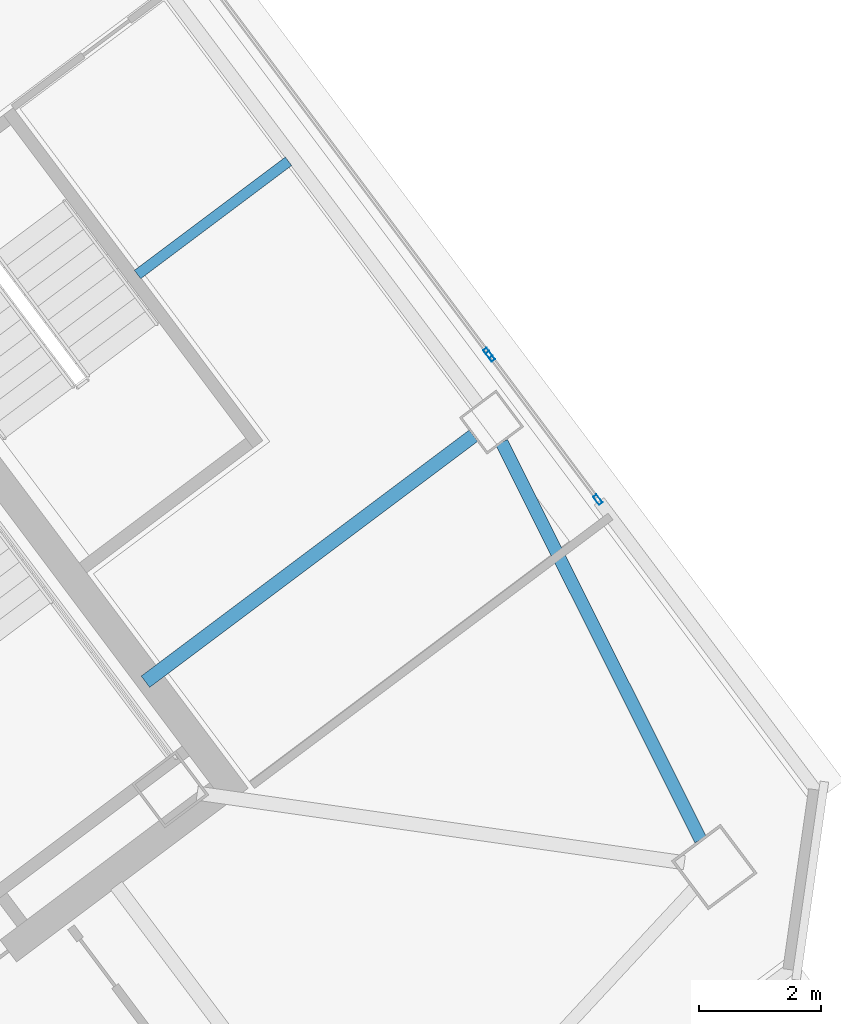
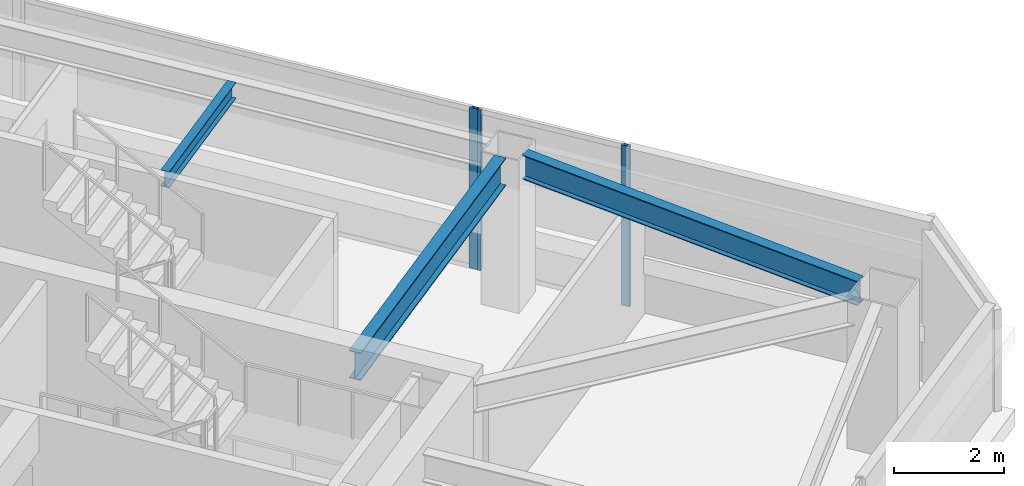
# One storey, part 24 of 39: 3 beams, 3 members, 2 elements without a shape of their own.
"""IFC4 building model written with IfcOpenShell, lengths in metres."""

from ifc_helpers import new_model, si_unit, direction, frame, origin, origin_2d, place, context, subcontext, project, spatial, hollow_rectangle, i_section, extrude, material, material_profile, profile_set, type_object, element, aggregate, save


model = new_model("IFC4")

# Units and contexts
model_context = context("Model", 3, precision=1e-05, world=origin(), true_north=direction((0.0, 1.0)))
body_context = subcontext(model_context, "Body", "Model", "MODEL_VIEW")
ifc_project = project(units=[si_unit("LENGTHUNIT", "METRE"), si_unit("AREAUNIT", "SQUARE_METRE"), si_unit("VOLUMEUNIT", "CUBIC_METRE"), si_unit("PLANEANGLEUNIT", "RADIAN"), si_unit("MASSUNIT", "GRAM", prefix="KILO")], contexts=[model_context])

# Site, building, storey
site_placement = place(None, origin())
site = spatial("IfcSite", under=ifc_project, at=site_placement, CompositionType="ELEMENT")
building_placement = place(site_placement, origin())
building = spatial("IfcBuilding", under=site, at=building_placement, Name="Tashvorn Skyway Center", CompositionType="ELEMENT")
storey_placement = place(building_placement, frame((0.0, 0.0, 225.5)))
storey = spatial("IfcBuildingStorey", under=building, at=storey_placement, Name="L61", CompositionType="ELEMENT", Elevation=225.5)

# Beams
ifc_material_1 = material(Name="Steel ASTM A992 Grade 50", Category="steel")
ifc_material_profile_1 = material_profile(ifc_material_1, i_section(OverallWidth=0.22998046875, OverallDepth=0.616943359375, WebThickness=0.01318359375, FlangeThickness=0.022216796875, at=origin_2d()), Name="W24X94")
ifc_profile_set_1 = profile_set([ifc_material_profile_1], Name="Steel ASTM A992 Grade 50")
beam_type_1 = type_object("IfcBeamType", Name="BM-BEAM-W24X94", PredefinedType="BEAM", material=ifc_profile_set_1)
beam_1_placement = place(storey_placement, frame((128.823974609375, 36.367919921875, 3.0615234375), z_axis=(-0.799991254452, -0.600011660554, 0.0), x_axis=(0.600011660554, -0.799991254452, 0.0)))
element("IfcBeam", 1, at=beam_1_placement, inside=storey, type_object=beam_type_1, Name="Tower 2 L61 Primary Floor Girder FC-E1", PredefinedType="BEAM", context=body_context, shape_type="SweptSolid", body=[
    extrude(i_section(OverallWidth=0.22998046875, OverallDepth=0.616943359375, WebThickness=0.01318359375, FlangeThickness=0.022216796875, at=origin_2d()), origin(), (0.0, 0.0, 1.0), 6.699951171875),
])
ifc_material_profile_2 = material_profile(ifc_material_1, i_section(OverallWidth=0.1708984375, OverallDepth=0.35498046875, WebThickness=0.007080078125, FlangeThickness=0.01171875, at=origin_2d()), Name="W14X34")
ifc_profile_set_2 = profile_set([ifc_material_profile_2], Name="Steel ASTM A992 Grade 50")
beam_type_2 = type_object("IfcBeamType", Name="BM-JOIST-W14X34", PredefinedType="JOIST", material=ifc_profile_set_2)
beam_2_placement = place(storey_placement, frame((123.3359375, 39.001953125, 3.1923828125), z_axis=(0.799990496003, 0.600012671787, 0.0), x_axis=(-0.600012671787, 0.799990496003, 0.0)))
element("IfcBeam", 2, at=beam_2_placement, inside=storey, type_object=beam_type_2, Name="Tower 2 L61 Secondary Composite Joist JE", PredefinedType="JOIST", context=body_context, shape_type="SweptSolid", body=[
    extrude(i_section(OverallWidth=0.1708984375, OverallDepth=0.35498046875, WebThickness=0.007080078125, FlangeThickness=0.01171875, at=origin_2d()), origin(), (0.0, 0.0, 1.0), 3.08251953125),
])
ifc_material_profile_3 = material_profile(ifc_material_1, i_section(OverallWidth=0.2109375, OverallDepth=0.5390625, WebThickness=0.01171875, FlangeThickness=0.018798828125, at=origin_2d()), Name="W21X73")
ifc_profile_set_3 = profile_set([ifc_material_profile_3], Name="Steel ASTM A992 Grade 50")
beam_type_3 = type_object("IfcBeamType", Name="BM-SPANDREL-W21X73", PredefinedType="SPANDREL", material=ifc_profile_set_3)
beam_3_placement = place(storey_placement, frame((132.538330078125, 29.7626953125, 3.1005859375), z_axis=(-0.447710870872, 0.894178380472, 0.0), x_axis=(-0.894178380472, -0.447710870872, 0.0)))
element("IfcBeam", 3, at=beam_3_placement, inside=storey, type_object=beam_type_3, Name="Tower 2 L61 Spandrel Beam 04", PredefinedType="SPANDREL", context=body_context, shape_type="SweptSolid", body=[
    extrude(i_section(OverallWidth=0.2109375, OverallDepth=0.5390625, WebThickness=0.01171875, FlangeThickness=0.018798828125, at=origin_2d()), origin(), (0.0, 0.0, 1.0), 7.26513671875),
])

# Curtain wall, member
ifc_material_2 = material(Name="Thermally broken bronze-anodized aluminium 6063-T6", Category="aluminium")
curtain_wall_type = type_object("IfcCurtainWallType", Name="CW-CW-Z5", PredefinedType="NOTDEFINED", material=ifc_material_2)
curtain_wall_1_placement = place(storey_placement, origin())
curtain_wall_1 = element("IfcCurtainWall", 4, at=curtain_wall_1_placement, inside=storey, type_object=curtain_wall_type, Name="Tower 2 L61 East Unitised Curtain Wall Glazing Group 2", PredefinedType="NOTDEFINED")
ifc_material_profile_4 = material_profile(ifc_material_2, hollow_rectangle(XDim=0.070068359375, YDim=0.1650390625, WallThickness=0.00390625, at=origin_2d()), Name="ALU-MULL-70x165")
ifc_profile_set_4 = profile_set([ifc_material_profile_4], Name="Thermally broken bronze-anodized aluminium 6063-T6")
member_type = type_object("IfcMemberType", Name="CWM-CW-Z5", PredefinedType="MULLION", material=ifc_profile_set_4)
member_1_placement = place(storey_placement, frame((129.05908203125, 37.72119140625, 0.0), z_axis=(0.0, 0.0, 1.0), x_axis=(0.800002670596, 0.599996439189, 0.0)))
member_1 = element("IfcMember", 5, at=member_1_placement, type_object=member_type, Name="CW-Z5 mullion 2", PredefinedType="MULLION", context=body_context, shape_type="SweptSolid", body=[
    extrude(hollow_rectangle(XDim=0.070068359375, YDim=0.1650390625, WallThickness=0.00390625, at=origin_2d()), origin(), (0.0, 0.0, 1.0), 3.550048828125),
])
aggregate(curtain_wall_1, [member_1])

# Curtain wall, members
curtain_wall_2_placement = place(storey_placement, origin())
curtain_wall_2 = element("IfcCurtainWall", 6, at=curtain_wall_2_placement, inside=storey, type_object=curtain_wall_type, Name="Tower 2 L61 East Unitised Curtain Wall Glazing Group 3", PredefinedType="NOTDEFINED")
member_2_placement = place(storey_placement, frame((129.10107421875, 37.665283203125, 0.0), z_axis=(0.0, 0.0, 1.0), x_axis=(0.799999999998, 0.600000000002, 0.0)))
member_2 = element("IfcMember", 7, at=member_2_placement, type_object=member_type, Name="CW-Z5 mullion 1", PredefinedType="MULLION", context=body_context, shape_type="SweptSolid", body=[
    extrude(hollow_rectangle(XDim=0.070068359375, YDim=0.1650390625, WallThickness=0.00390625, at=origin_2d()), origin(), (0.0, 0.0, 1.0), 3.550048828125),
])
member_3_placement = place(storey_placement, frame((130.856201171875, 35.324951171875, 0.0), z_axis=(0.0, 0.0, 1.0), x_axis=(0.799999999998, 0.600000000002, 0.0)))
member_3 = element("IfcMember", 8, at=member_3_placement, type_object=member_type, Name="CW-Z5 mullion 2", PredefinedType="MULLION", context=body_context, shape_type="SweptSolid", body=[
    extrude(hollow_rectangle(XDim=0.070068359375, YDim=0.1650390625, WallThickness=0.00390625, at=origin_2d()), origin(), (0.0, 0.0, 1.0), 3.550048828125),
])
aggregate(curtain_wall_2, [member_2, member_3])

save(model, "model.ifc")
